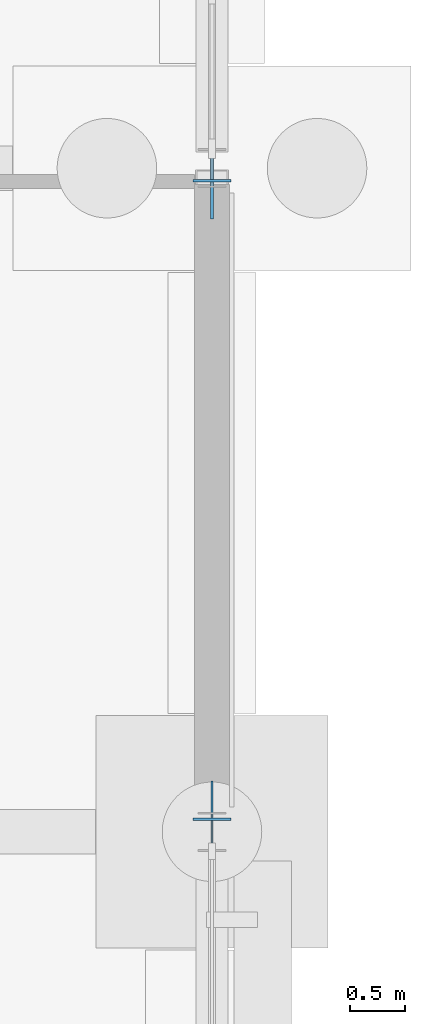
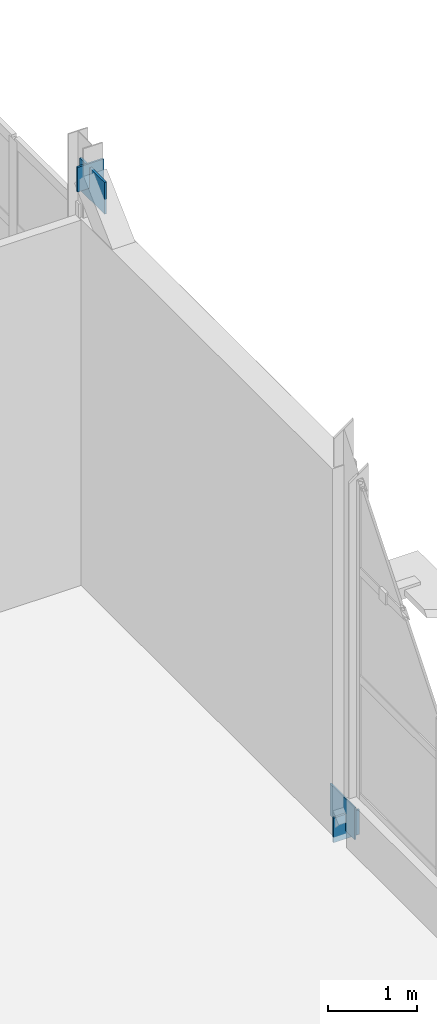
# One storey, part 85 of 120: 4 plates.
"""IFC4 building model written with IfcOpenShell, lengths in metres."""

from ifc_helpers import new_model, si_unit, direction, frame, origin, origin_2d, place, context, subcontext, project, spatial, rectangle, extrude, material, layer, layer_set, type_object, element, save


model = new_model("IFC4")

# Units and contexts
model_context = context("Model", 3, precision=1e-05, world=origin(), true_north=direction((0.0, 1.0)))
body_context = subcontext(model_context, "Body", "Model", "MODEL_VIEW")
ifc_project = project(units=[si_unit("LENGTHUNIT", "METRE"), si_unit("AREAUNIT", "SQUARE_METRE"), si_unit("VOLUMEUNIT", "CUBIC_METRE"), si_unit("PLANEANGLEUNIT", "RADIAN"), si_unit("MASSUNIT", "GRAM", prefix="KILO")], contexts=[model_context])

# Site, building, storey
site_placement = place(None, origin())
site = spatial("IfcSite", under=ifc_project, at=site_placement, CompositionType="ELEMENT")
building_placement = place(site_placement, origin())
building = spatial("IfcBuilding", under=site, at=building_placement, Name="Siltcreek Boulevard Central Fire Station", CompositionType="ELEMENT")
storey_placement = place(building_placement, origin())
storey = spatial("IfcBuildingStorey", under=building, at=storey_placement, Name="L01", CompositionType="ELEMENT", Elevation=0.0)

# Plates
ifc_material = material(Name="Structural steel ASTM A572 Gr50", Category="steel")
ifc_layer_1 = layer(ifc_material, 0.02490234375, Name="Structural steel ASTM A572 Gr50")
ifc_layer_set_1 = layer_set([ifc_layer_1], Name="Structural steel ASTM A572 Gr50")
plate_type_1 = type_object("IfcPlateType", Name="PL_CAP25", PredefinedType="USERDEFINED", material=ifc_layer_set_1)
for number, where, z_axis, x_axis, name in (
    (1, (108.0, 36.1123046875, -0.0771484375), (0.0, 0.0, 1.0), (0.0, 1.0, 0.0), "L01 buckling-restrained brace BR-008 sealed end cap 1"),
    (2, (108.0, 41.8876953125, 5.38720703125), (0.0, 0.0, 1.0), (0.0, 1.0, 0.0), "L01 buckling-restrained brace BR-008 sealed end cap 2"),
):
    element("IfcPlate", number, at=place(storey_placement, frame(where, z_axis=z_axis, x_axis=x_axis)), inside=storey, type_object=plate_type_1, Name=name, ObjectType="END CAP", PredefinedType="USERDEFINED", context=body_context, shape_type="SweptSolid", body=[
        extrude(rectangle(XDim=0.02490234375, YDim=0.340087890625, at=origin_2d()), origin(), (0.0, 0.0, 1.0), 0.340087890625),
    ])
ifc_layer_2 = layer(ifc_material, 0.02197265625, Name="Structural steel ASTM A572 Gr50")
ifc_layer_set_2 = layer_set([ifc_layer_2], Name="Structural steel ASTM A572 Gr50")
plate_type_2 = type_object("IfcPlateType", Name="PL_GUS22", PredefinedType="USERDEFINED", material=ifc_layer_set_2)
plate_1_placement = place(storey_placement, frame((108.0, 36.179931640625, 0.030029296875), z_axis=(0.0, 0.0, 1.0), x_axis=(0.0, 1.0, 0.0)))
element("IfcPlate", 3, at=plate_1_placement, inside=storey, type_object=plate_type_2, Name="Seismic brace bot gusset plate GP-049", ObjectType="GUSSET PLATE", PredefinedType="USERDEFINED", context=body_context, shape_type="SweptSolid", body=[
    extrude(rectangle(XDim=0.56005859375, YDim=0.02197265625, at=origin_2d()), origin(), (0.0, 0.0, 1.0), 0.43994140625),
])
ifc_layer_3 = layer(ifc_material, 0.028076171875, Name="Structural steel ASTM A572 Gr50")
ifc_layer_set_3 = layer_set([ifc_layer_3], Name="Structural steel ASTM A572 Gr50")
plate_type_3 = type_object("IfcPlateType", Name="PL_GUS28", PredefinedType="USERDEFINED", material=ifc_layer_set_3)
plate_2_placement = place(storey_placement, frame((108.0, 41.820068359375, 5.22998046875), z_axis=(0.0, 0.0, 1.0), x_axis=(0.0, 1.0, 0.0)))
element("IfcPlate", 4, at=plate_2_placement, inside=storey, type_object=plate_type_3, Name="Seismic brace top gusset plate GP-050", ObjectType="GUSSET PLATE", PredefinedType="USERDEFINED", context=body_context, shape_type="SweptSolid", body=[
    extrude(rectangle(XDim=0.56005859375, YDim=0.028076171875, at=origin_2d()), origin(), (0.0, 0.0, 1.0), 0.43994140625),
])

save(model, "model.ifc")
